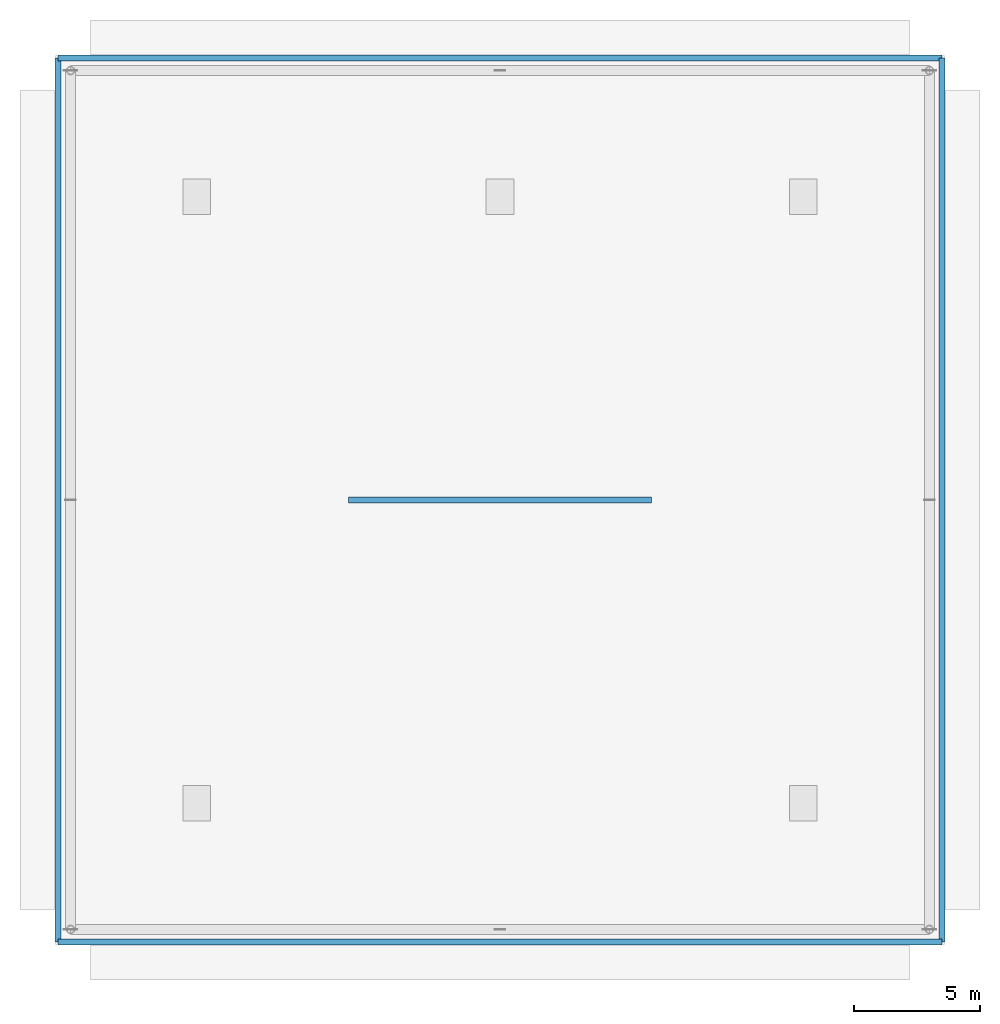
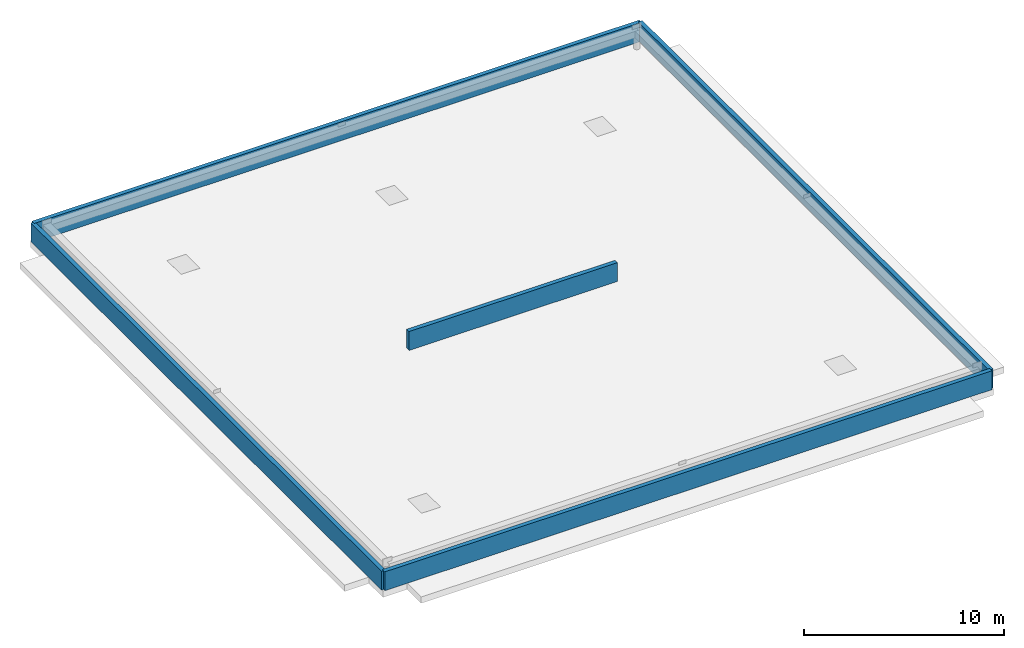
# One storey, part 9 of 9: 5 walls.
"""IFC4 building model written with IfcOpenShell, lengths in metres."""

from ifc_helpers import new_model, si_unit, direction, frame, frame_2d, origin, place, context, subcontext, project, spatial, rectangle, extrude, source, transform, mapped, material, layer, layer_set, type_object, element, save


model = new_model("IFC4")

# Units and contexts
model_context = context("Model", 3, precision=1e-05, world=origin(), true_north=direction((0.0, 1.0)))
body_context = subcontext(model_context, "Body", "Model", "MODEL_VIEW")
ifc_project = project(units=[si_unit("LENGTHUNIT", "METRE"), si_unit("AREAUNIT", "SQUARE_METRE"), si_unit("VOLUMEUNIT", "CUBIC_METRE"), si_unit("PLANEANGLEUNIT", "RADIAN"), si_unit("MASSUNIT", "GRAM", prefix="KILO")], contexts=[model_context])

# Site, building, storey
site_placement = place(None, origin())
site = spatial("IfcSite", under=ifc_project, at=site_placement, CompositionType="ELEMENT")
building_placement = place(site_placement, origin())
building = spatial("IfcBuilding", under=site, at=building_placement, Name="Nahalor Promenade Grand Hotel", CompositionType="ELEMENT")
storey_placement = place(building_placement, frame((0.0, 0.0, 375.449951171875)))
storey = spatial("IfcBuildingStorey", under=building, at=storey_placement, Name="RF", CompositionType="ELEMENT", Elevation=375.449951171875)

# Walls
ifc_material = material(Name="Concrete B-50 (C40/50)", Category="concrete")
ifc_layer = layer(ifc_material, 0.239990234375)
ifc_layer_set = layer_set([ifc_layer], Name="Concrete B-50 (C40/50)")
wall_type = type_object("IfcWallType", Name="Wall-RoofParapet-240", PredefinedType="PARAPET", material=ifc_layer_set)
shared_shape_1 = source(origin(), body_context, "Body", "SweptSolid", [
    extrude(rectangle(XDim=35.0, YDim=0.239990234375, at=frame_2d((17.5, 0.0))), origin(), (0.0, 0.0, 1.0), 1.150146484375),
])
for number, where, z_axis, x_axis, name in (
    (1, (-17.5, -17.5, 0.0), (0.0, 0.0, 1.0), (1.0, 0.0, 0.0), "RF Roof Parapet Upstand Wall S"),
    (2, (-17.5, 17.5, 0.0), (0.0, 0.0, 1.0), (1.0, 0.0, 0.0), "RF Roof Parapet Upstand Wall N"),
    (3, (-17.5, -17.5, 0.0), (0.0, 0.0, 1.0), (0.0, 1.0, 0.0), "RF Roof Parapet Upstand Wall W"),
    (4, (17.5, -17.5, 0.0), (0.0, 0.0, 1.0), (0.0, 1.0, 0.0), "RF Roof Parapet Upstand Wall E"),
):
    element("IfcWall", number, at=place(storey_placement, frame(where, z_axis=z_axis, x_axis=x_axis)), inside=storey, type_object=wall_type, Name=name, PredefinedType="PARAPET", context=body_context, shape_type="MappedRepresentation", body=[
        mapped(shared_shape_1, transform((0.0, 0.0, 0.0), scale=1.0)),
    ])
shared_shape_2 = source(origin(), body_context, "Body", "SweptSolid", [
    extrude(rectangle(XDim=12.0, YDim=0.239990234375, at=frame_2d((6.0, 0.0))), origin(), (0.0, 0.0, 1.0), 1.150146484375),
])
wall_placement = place(storey_placement, frame((-6.0, 0.0, 0.0), z_axis=(0.0, 0.0, 1.0), x_axis=(1.0, 0.0, 0.0)))
element("IfcWall", 5, at=wall_placement, inside=storey, type_object=wall_type, Name="RF Roof Parapet Upstand Wall C", PredefinedType="PARAPET", context=body_context, shape_type="MappedRepresentation", body=[
    mapped(shared_shape_2, transform((0.0, 0.0, 0.0), scale=1.0)),
])

save(model, "model.ifc")
